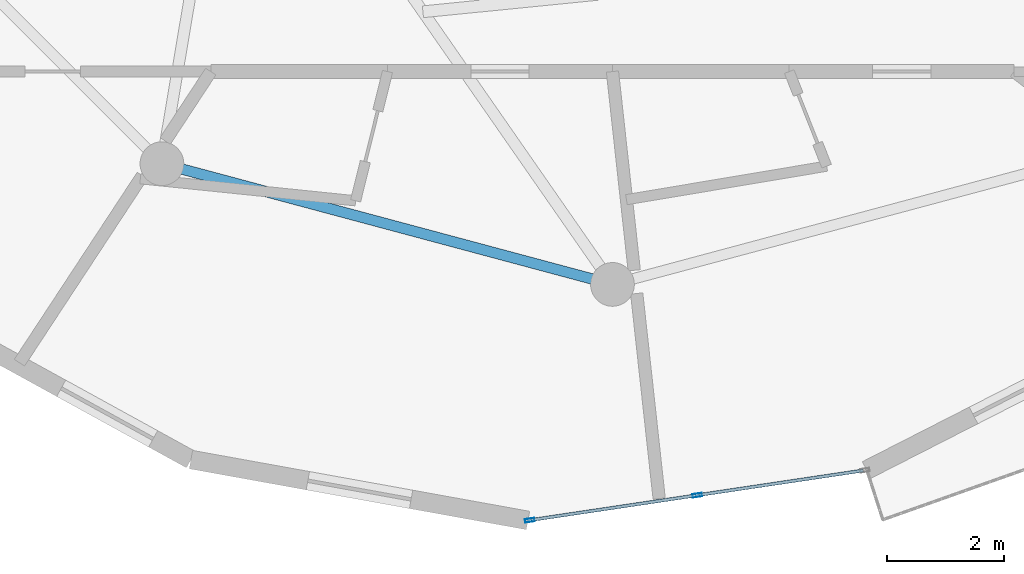
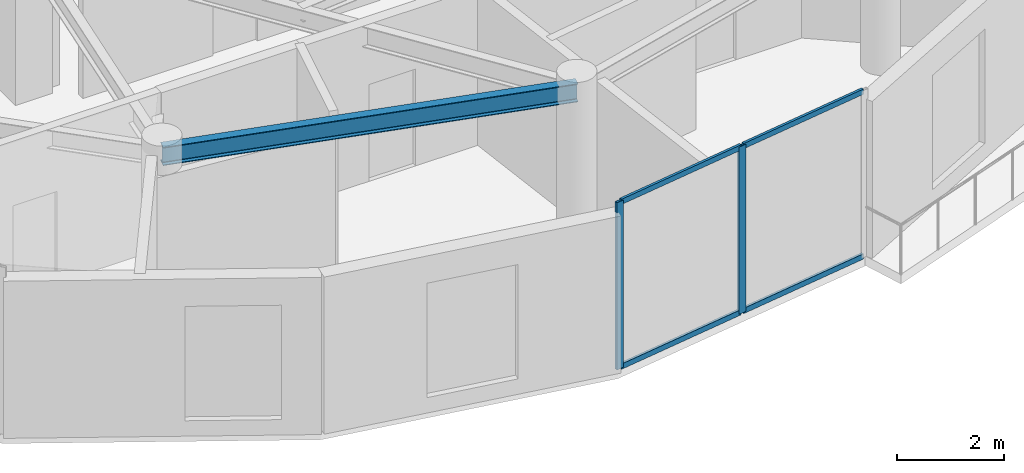
# One storey, part 4 of 23: 6 members, 1 beam, 1 element without a shape of its own.
"""IFC4 building model written with IfcOpenShell, lengths in metres."""

from ifc_helpers import new_model, si_unit, direction, frame, origin, origin_2d, place, context, subcontext, project, spatial, hollow_rectangle, i_section, extrude, source, transform, mapped, material, layer, layer_set, material_profile, profile_set, type_object, element, aggregate, save


model = new_model("IFC4")

# Units and contexts
model_context = context("Model", 3, precision=1e-05, world=origin(), true_north=direction((0.0, 1.0)))
body_context = subcontext(model_context, "Body", "Model", "MODEL_VIEW")
ifc_project = project(units=[si_unit("LENGTHUNIT", "METRE"), si_unit("AREAUNIT", "SQUARE_METRE"), si_unit("VOLUMEUNIT", "CUBIC_METRE"), si_unit("PLANEANGLEUNIT", "RADIAN"), si_unit("MASSUNIT", "GRAM", prefix="KILO")], contexts=[model_context])

# Site, building, storey
site_placement = place(None, origin())
site = spatial("IfcSite", under=ifc_project, at=site_placement, CompositionType="ELEMENT")
building_placement = place(site_placement, origin())
building = spatial("IfcBuilding", under=site, at=building_placement, Name="Solvirekh Grand Hotel", CompositionType="ELEMENT")
storey_placement = place(building_placement, frame((0.0, 0.0, 282.0)))
storey = spatial("IfcBuildingStorey", under=building, at=storey_placement, Name="L73", CompositionType="ELEMENT", Elevation=282.0)

# Beam
ifc_material_1 = material(Name="Steel S355", Category="steel")
ifc_material_profile_1 = material_profile(ifc_material_1, i_section(OverallWidth=0.180908203125, OverallDepth=0.4169921875, WebThickness=0.010009765625, FlangeThickness=0.01611328125, FilletRadius=0.011962890625, at=origin_2d()), Name="W410X85")
ifc_profile_set_1 = profile_set([ifc_material_profile_1], Name="Steel S355")
beam_type = type_object("IfcBeamType", Name="Spandrel_Ring_W410", PredefinedType="SPANDREL", material=ifc_profile_set_1)
beam_placement = place(storey_placement, frame((-7.72509765625, -13.3798828125, 3.361083984375), z_axis=(0.965921616143, -0.258834757072, 0.0), x_axis=(0.258834757072, 0.965921616143, 0.0)))
element("IfcBeam", 1, at=beam_placement, inside=storey, type_object=beam_type, Name="L73 perimeter spandrel beam 9", PredefinedType="SPANDREL", context=body_context, shape_type="SweptSolid", body=[
    extrude(i_section(OverallWidth=0.180908203125, OverallDepth=0.4169921875, WebThickness=0.010009765625, FlangeThickness=0.01611328125, FilletRadius=0.011962890625, at=origin_2d()), origin(), (0.0, 0.0, 1.0), 7.99755859375),
])

# Curtain wall, members
ifc_material_2 = material(Name="Anodized Bronze Aluminium 6063-T6", Category="aluminium")
ifc_layer = layer(ifc_material_2, 0.159912109375)
ifc_layer_set = layer_set([ifc_layer], Name="Anodized Bronze Aluminium 6063-T6")
curtain_wall_type = type_object("IfcCurtainWallType", Name="CW_Sys4_HighZoneFlushBronzeCW", PredefinedType="NOTDEFINED", material=ifc_layer_set)
curtain_wall_placement = place(storey_placement, origin())
curtain_wall = element("IfcCurtainWall", 2, at=curtain_wall_placement, inside=storey, type_object=curtain_wall_type, Name="L73 unitised bronze-glass curtain wall CW-L73-C01", PredefinedType="NOTDEFINED")
ifc_material_profile_2 = material_profile(ifc_material_2, hollow_rectangle(XDim=0.06005859375, YDim=0.159912109375, WallThickness=0.0048828125, at=origin_2d()), Name="ALU RHS 160X60X5")
ifc_profile_set_2 = profile_set([ifc_material_profile_2], Name="Anodized Bronze Aluminium 6063-T6")
member_type_1 = type_object("IfcMemberType", Name="CWMullion_Sys4", PredefinedType="MULLION", material=ifc_profile_set_2)
shared_shape_1 = source(origin(), body_context, "Body", "SweptSolid", [
    extrude(hollow_rectangle(XDim=0.06005859375, YDim=0.159912109375, WallThickness=0.0048828125, at=origin_2d()), origin(), (0.0, 0.0, 1.0), 3.800048828125),
])
member_1_placement = place(storey_placement, frame((-1.41943359375, -19.49365234375, 0.0), z_axis=(0.0, 0.0, 1.0), x_axis=(-0.147474354669, 0.989065879866, 0.0)))
member_1 = element("IfcMember", 3, at=member_1_placement, type_object=member_type_1, Name="U04 mullion 1", PredefinedType="MULLION", context=body_context, shape_type="MappedRepresentation", body=[
    mapped(shared_shape_1, transform((0.0, 0.0, 0.0), x_axis=(1.0, 0.0, 0.0), y_axis=(0.0, 1.0, 0.0), z_axis=(0.0, 0.0, 1.0), scale=1.0)),
])
member_2_placement = place(storey_placement, frame((1.455078125, -19.06494140625, 0.0), z_axis=(0.0, 0.0, 1.0), x_axis=(-0.147474354669, 0.989065879866, 0.0)))
member_2 = element("IfcMember", 4, at=member_2_placement, type_object=member_type_1, Name="U04 mullion 2", PredefinedType="MULLION", context=body_context, shape_type="MappedRepresentation", body=[
    mapped(shared_shape_1, transform((0.0, 0.0, 0.0), x_axis=(1.0, 0.0, 0.0), y_axis=(0.0, 1.0, 0.0), z_axis=(0.0, 0.0, 1.0), scale=1.0)),
])
ifc_material_profile_3 = material_profile(ifc_material_2, hollow_rectangle(XDim=0.054931640625, YDim=0.1201171875, WallThickness=0.00390625, at=origin_2d()), Name="ALU RHS 120X55X4")
ifc_profile_set_3 = profile_set([ifc_material_profile_3], Name="Anodized Bronze Aluminium 6063-T6")
member_type_2 = type_object("IfcMemberType", Name="CWTransom_Sys4", PredefinedType="USERDEFINED", material=ifc_profile_set_3)
shared_shape_2 = source(origin(), body_context, "Body", "SweptSolid", [
    extrude(hollow_rectangle(XDim=0.054931640625, YDim=0.1201171875, WallThickness=0.00390625, at=origin_2d()), origin(), (0.0, 0.0, 1.0), 2.845947265625),
])
member_3_placement = place(storey_placement, frame((1.484619140625, -19.060546875, 0.027587890625), z_axis=(0.989068094403, 0.147459501672, 0.0), x_axis=(-0.147459501672, 0.989068094403, 0.0)))
member_3 = element("IfcMember", 5, at=member_3_placement, type_object=member_type_2, Name="U04 transom 2.1", ObjectType="TRANSOM", PredefinedType="USERDEFINED", context=body_context, shape_type="MappedRepresentation", body=[
    mapped(shared_shape_2, transform((0.0, 0.0, 0.0), x_axis=(1.0, 0.0, 0.0), y_axis=(0.0, 1.0, 0.0), z_axis=(0.0, 0.0, 1.0), scale=1.0)),
])
member_4_placement = place(storey_placement, frame((1.484619140625, -19.060546875, 3.7724609375), z_axis=(0.989068094403, 0.147459501672, 0.0), x_axis=(-0.147459501672, 0.989068094403, 0.0)))
member_4 = element("IfcMember", 6, at=member_4_placement, type_object=member_type_2, Name="U04 transom 2.2", ObjectType="TRANSOM", PredefinedType="USERDEFINED", context=body_context, shape_type="MappedRepresentation", body=[
    mapped(shared_shape_2, transform((0.0, 0.0, 0.0), x_axis=(1.0, 0.0, 0.0), y_axis=(0.0, 1.0, 0.0), z_axis=(0.0, 0.0, 1.0), scale=1.0)),
])
shared_shape_3 = source(origin(), body_context, "Body", "SweptSolid", [
    extrude(hollow_rectangle(XDim=0.054931640625, YDim=0.1201171875, WallThickness=0.00390625, at=origin_2d()), origin(), (0.0, 0.0, 1.0), 2.84619140625),
])
member_5_placement = place(storey_placement, frame((-1.3896484375, -19.4892578125, 0.027587890625), z_axis=(0.989055579892, 0.147543416948, 0.0), x_axis=(-0.147543416948, 0.989055579892, 0.0)))
member_5 = element("IfcMember", 7, at=member_5_placement, type_object=member_type_2, Name="U04 transom 1.1", ObjectType="TRANSOM", PredefinedType="USERDEFINED", context=body_context, shape_type="MappedRepresentation", body=[
    mapped(shared_shape_3, transform((0.0, 0.0, 0.0), x_axis=(1.0, 0.0, 0.0), y_axis=(0.0, 1.0, 0.0), z_axis=(0.0, 0.0, 1.0), scale=1.0)),
])
member_6_placement = place(storey_placement, frame((-1.3896484375, -19.4892578125, 3.7724609375), z_axis=(0.989055579892, 0.147543416948, 0.0), x_axis=(-0.147543416948, 0.989055579892, 0.0)))
member_6 = element("IfcMember", 8, at=member_6_placement, type_object=member_type_2, Name="U04 transom 1.2", ObjectType="TRANSOM", PredefinedType="USERDEFINED", context=body_context, shape_type="MappedRepresentation", body=[
    mapped(shared_shape_3, transform((0.0, 0.0, 0.0), x_axis=(1.0, 0.0, 0.0), y_axis=(0.0, 1.0, 0.0), z_axis=(0.0, 0.0, 1.0), scale=1.0)),
])
aggregate(curtain_wall, [member_1, member_2, member_5, member_6, member_3, member_4])

save(model, "model.ifc")
